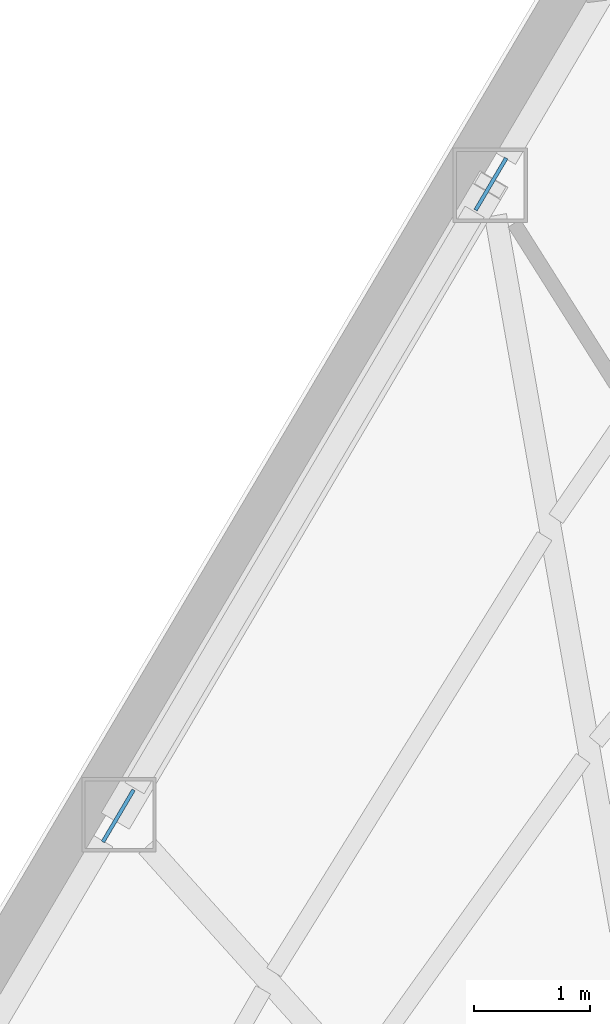
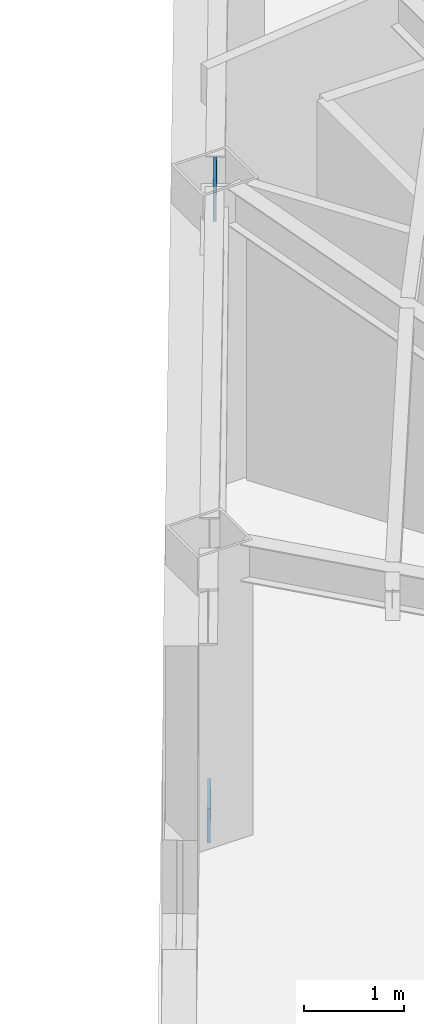
# One storey, part 5 of 10: 2 plates.
"""IFC4 building model written with IfcOpenShell, lengths in metres."""

from ifc_helpers import new_model, si_unit, direction, frame, origin, origin_2d, place, context, subcontext, project, spatial, rectangle, extrude, material, layer, layer_set, type_object, element, save


model = new_model("IFC4")

# Units and contexts
model_context = context("Model", 3, precision=1e-05, world=origin(), true_north=direction((0.0, 1.0)))
body_context = subcontext(model_context, "Body", "Model", "MODEL_VIEW")
ifc_project = project(units=[si_unit("LENGTHUNIT", "METRE"), si_unit("AREAUNIT", "SQUARE_METRE"), si_unit("VOLUMEUNIT", "CUBIC_METRE"), si_unit("PLANEANGLEUNIT", "RADIAN"), si_unit("MASSUNIT", "GRAM", prefix="KILO")], contexts=[model_context])

# Site, building, storey
site_placement = place(None, origin())
site = spatial("IfcSite", under=ifc_project, at=site_placement, CompositionType="ELEMENT")
building_placement = place(site_placement, origin())
building = spatial("IfcBuilding", under=site, at=building_placement, Name="Kavelnor Concourse Tower", CompositionType="ELEMENT")
storey_placement = place(building_placement, frame((0.0, 0.0, 211.199951171875)))
storey = spatial("IfcBuildingStorey", under=building, at=storey_placement, Name="L53", CompositionType="ELEMENT", Elevation=211.199951171875)

# Plates
ifc_material = material(Name="Steel Grade 350", Category="steel")
ifc_layer = layer(ifc_material, 0.031982421875, Name="Steel Grade 350")
ifc_layer_set = layer_set([ifc_layer], Name="Steel Grade 350")
plate_type = type_object("IfcPlateType", Name="PL-GUSSET-TUBE-Z1", PredefinedType="USERDEFINED", material=ifc_layer_set)
for number, where, z_axis, x_axis, name in (
    (1, (24.223876953125, 27.418701171875, 0.010009765625), (0.0, 0.0, 1.0), (0.507989441341, 0.861363295878, 0.0), "L53 Tube Brace Gusset GP3 F0-B2 End Gusset A"),
    (2, (27.433837890625, 32.860595703125, 3.16015625), (0.0, 0.0, 1.0), (0.507989441341, 0.861363295878, 0.0), "L53 Tube Brace Gusset GP3 F0-B2 End Gusset B"),
):
    element("IfcPlate", number, at=place(storey_placement, frame(where, z_axis=z_axis, x_axis=x_axis)), inside=storey, type_object=plate_type, Name=name, ObjectType="GUSSET_PLATE", PredefinedType="USERDEFINED", context=body_context, shape_type="SweptSolid", body=[
        extrude(rectangle(XDim=0.52001953125, YDim=0.031982421875, at=origin_2d()), origin(), (0.0, 0.0, 1.0), 0.419921875),
    ])

save(model, "model.ifc")
